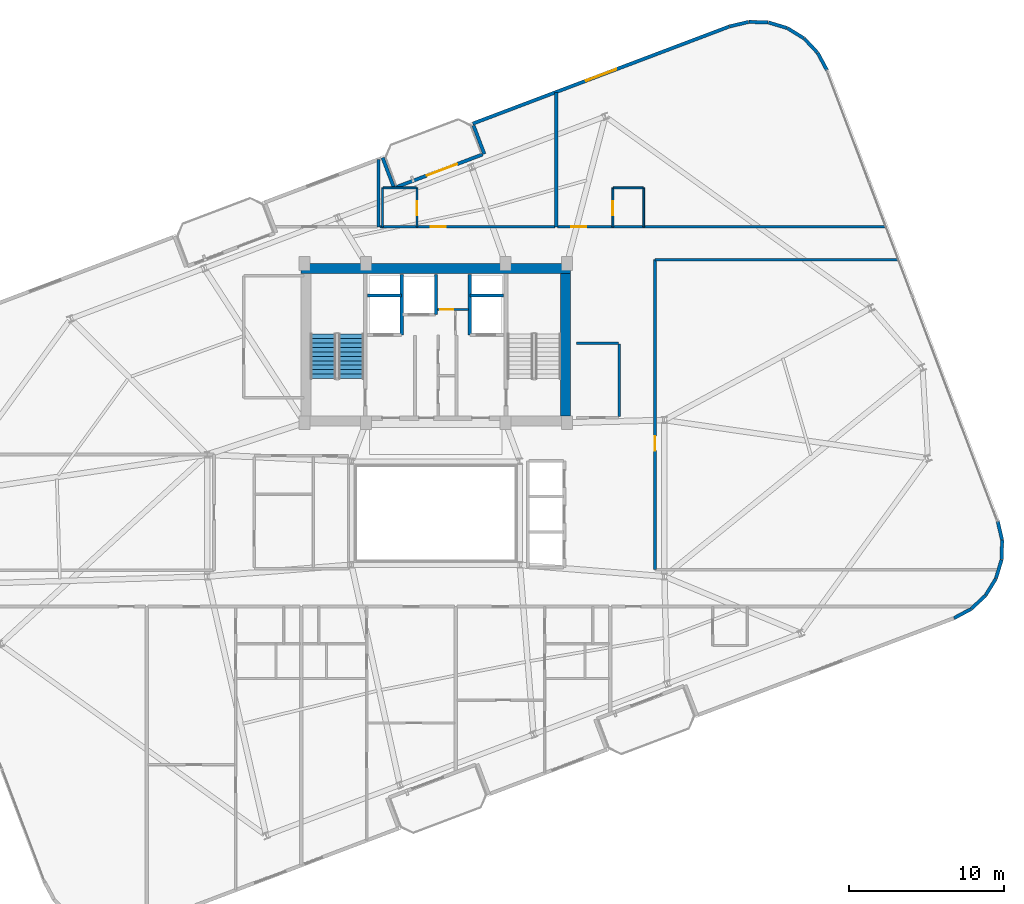
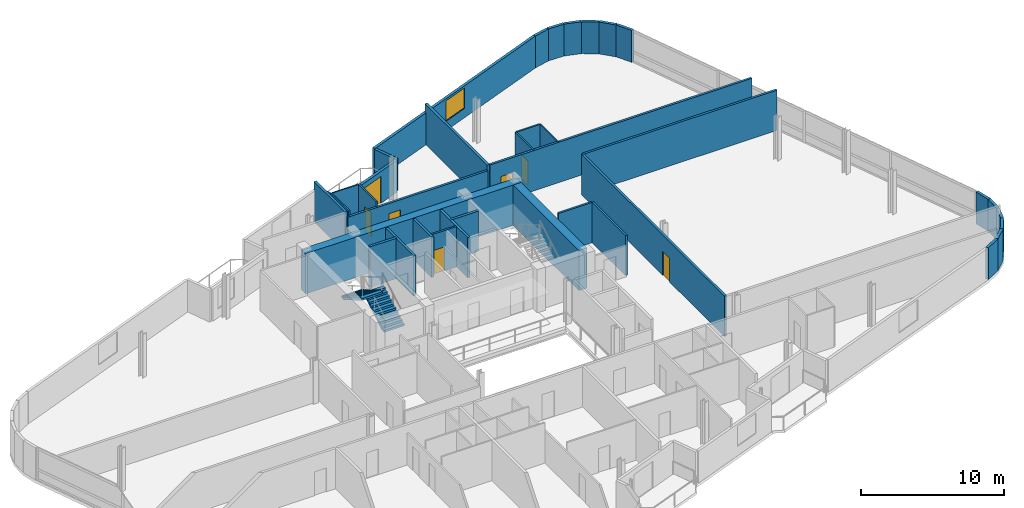
# One storey, part 17 of 20: 38 walls, 7 doors, 2 stair flights, 1 window, 8 openings, 1 element without a shape of its own.
"""IFC4 building model written with IfcOpenShell, lengths in metres."""

import ifcopenshell
import ifcopenshell.guid

model = None  # the IFC model being written
_history = None  # IfcOwnerHistory: only IFC2X3 demands one
_inside = {}  # id of a spatial element -> (the spatial element, [elements in it])
_under = {}  # id of a project, library or spatial element -> (it, [spatial elements below it])
_declared = {}  # id of a project -> (the project, [libraries it declares])
_typed = {}  # id of a type object -> (the type object, [elements of that type])
_made_of = {}  # id of a material, layer set ... -> (it, [elements and type objects made of it])


def new_model(schema):
    """Start an empty IFC model of exactly this schema.

    Asked for "IFC4X3", IfcOpenShell would pick the latest addendum, in which some entities
    have other attributes; the version numbers below select the first issue.
    IFC2X3 requires an IfcOwnerHistory on every rooted entity: one is made here for all.
    """
    global model, _history
    if schema == "IFC4X3":
        model = ifcopenshell.file(schema_version=(4, 3, 0, 0))
    else:
        model = ifcopenshell.file(schema=schema)
    _inside.clear()
    _under.clear()
    _declared.clear()
    _typed.clear()
    _made_of.clear()
    _history = None
    if model.schema == "IFC2X3":
        org = make("IfcOrganization", Name="unknown")
        user = make(
            "IfcPersonAndOrganization",
            ThePerson=make("IfcPerson", FamilyName="unknown"),
            TheOrganization=org,
        )
        app = make(
            "IfcApplication",
            ApplicationDeveloper=org,
            Version="unknown",
            ApplicationFullName="unknown",
            ApplicationIdentifier="unknown",
        )
        _history = make(
            "IfcOwnerHistory",
            OwningUser=user,
            OwningApplication=app,
            ChangeAction="ADDED",
            CreationDate=0,
        )
    return model


def make(cls, **values):
    """One entity of the class cls with the attributes given. An attribute that is None is left unset."""
    return model.create_entity(
        cls, **{name: value for name, value in values.items() if value is not None}
    )


def rooted(cls, **values):
    """An entity with a GlobalId (a new one), such as an element, a storey or a relation."""
    return make(cls, GlobalId=ifcopenshell.guid.new(), OwnerHistory=_history, **values)


def si_unit(unit_type, name, prefix=None):
    """IfcSIUnit, for example si_unit("LENGTHUNIT", "METRE", prefix="MILLI")."""
    return make("IfcSIUnit", UnitType=unit_type, Prefix=prefix, Name=name)


def assignment(units):
    """IfcUnitAssignment: the units of a project."""
    return None if units is None else make("IfcUnitAssignment", Units=units)


def point(xyz):
    """IfcCartesianPoint."""
    return None if xyz is None else make("IfcCartesianPoint", Coordinates=xyz)


def direction(xyz):
    """IfcDirection."""
    return None if xyz is None else make("IfcDirection", DirectionRatios=xyz)


def frame(location, z_axis=None, x_axis=None):
    """IfcAxis2Placement3D, a coordinate frame: its origin and axes. An axis left out is left unset."""
    return make(
        "IfcAxis2Placement3D",
        Location=point(location),
        Axis=direction(z_axis),
        RefDirection=direction(x_axis),
    )


def frame_2d(location, x_axis=None):
    """IfcAxis2Placement2D, a coordinate frame in the plane: its origin and x axis."""
    return make(
        "IfcAxis2Placement2D", Location=point(location), RefDirection=direction(x_axis)
    )


def origin():
    """The frame at (0, 0, 0) with its axes left unset."""
    return frame((0.0, 0.0, 0.0))


def place(relative_to, where):
    """IfcLocalPlacement: puts the frame where relative to a parent placement (None: the world)."""
    return make(
        "IfcLocalPlacement", PlacementRelTo=relative_to, RelativePlacement=where
    )


def context(
    kind, dimensions, precision=None, world=None, true_north=None, identifier=None
):
    """IfcGeometricRepresentationContext, for example the 3D "Model" context."""
    return make(
        "IfcGeometricRepresentationContext",
        ContextIdentifier=identifier,
        ContextType=kind,
        CoordinateSpaceDimension=dimensions,
        Precision=precision,
        WorldCoordinateSystem=world,
        TrueNorth=true_north,
    )


def subcontext(parent, identifier, kind, view, scale=None):
    """IfcGeometricRepresentationSubContext, for example "Body" below "Model"."""
    return make(
        "IfcGeometricRepresentationSubContext",
        ContextIdentifier=identifier,
        ContextType=kind,
        ParentContext=parent,
        TargetScale=scale,
        TargetView=view,
    )


def project(units=None, contexts=None):
    """IfcProject with its units and contexts."""
    return rooted(
        "IfcProject",
        Name="project",
        RepresentationContexts=contexts,
        UnitsInContext=assignment(units),
    )


def spatial(cls, under=None, at=None, **own):
    """A site, building, storey or space (cls), placed at a placement, below another one or the project."""
    s = rooted(cls, ObjectPlacement=at, **own)
    if under is not None:
        _under.setdefault(under.id(), (under, []))[1].append(s)
    return s


def polyline(points):
    """IfcPolyline through the points."""
    return make("IfcPolyline", Points=[point(p) for p in points])


def profile(cls, at=None, kind="AREA", **sizes):
    """A parametric profile (cls). Its sizes go by their IFC names, for example OverallWidth=200.0."""
    return make(cls, ProfileType=kind, Position=at, **sizes)


def rectangle(**sizes):
    """IfcRectangleProfileDef."""
    return profile("IfcRectangleProfileDef", **sizes)


def outline(outer, holes=None, kind="AREA"):
    """IfcArbitraryClosedProfileDef: a profile drawn as a closed curve; with holes, ...WithVoids."""
    if holes is None:
        return make("IfcArbitraryClosedProfileDef", ProfileType=kind, OuterCurve=outer)
    return make(
        "IfcArbitraryProfileDefWithVoids",
        ProfileType=kind,
        OuterCurve=outer,
        InnerCurves=holes,
    )


def extrude(swept, where, along, depth):
    """IfcExtrudedAreaSolid: the profile swept, set in the frame where, extruded along a direction by depth."""
    return make(
        "IfcExtrudedAreaSolid",
        SweptArea=swept,
        Position=where,
        ExtrudedDirection=direction(along),
        Depth=depth,
    )


def shape(context_of_items, identifier, shape_type, items):
    """IfcShapeRepresentation: the items that make up one representation, for example the "Body"."""
    return make(
        "IfcShapeRepresentation",
        ContextOfItems=context_of_items,
        RepresentationIdentifier=identifier,
        RepresentationType=shape_type,
        Items=items,
    )


def material(Name=None, Category=None):
    """IfcMaterial."""
    return make("IfcMaterial", Name=Name, Category=Category)


def layer(
    of_material, thickness, ventilated=None, Name=None, Category=None, Priority=None
):
    """IfcMaterialLayer: one layer of a wall or slab, of a material (None: an air gap)."""
    return make(
        "IfcMaterialLayer",
        Material=of_material,
        LayerThickness=thickness,
        IsVentilated=ventilated,
        Name=Name,
        Category=Category,
        Priority=Priority,
    )


def layer_set(layers, Name=None):
    """IfcMaterialLayerSet."""
    return make("IfcMaterialLayerSet", MaterialLayers=layers, LayerSetName=Name)


def made_of(thing, what):
    """Note that an element or type object is made of a material, layer set ...; save() writes the relation."""
    if what is not None:
        _made_of.setdefault(what.id(), (what, []))[1].append(thing)
    return thing


def type_object(cls, material=None, **own):
    """A type object (cls), such as IfcWallType, which elements share."""
    return made_of(rooted(cls, **own), material)


def element(
    cls,
    number,
    at=None,
    inside=None,
    cuts=None,
    type_object=None,
    material=None,
    context=None,
    identifier="Body",
    shape_type=None,
    held_by="IfcProductDefinitionShape",
    body=None,
    shapes=None,
    **own,
):
    """One element of the class cls, such as IfcWall. Its Tag is "e" and its number.

    at: its placement. inside: the storey or other place that contains it. cuts: it is an
    opening in that element (IfcRelVoidsElement). A single representation is given by context,
    identifier, shape_type and body (its items); several are given by shapes. held_by: the class
    of the entity that holds the representations. save() writes the other relations.
    """
    e = rooted(cls, Tag="e%d" % number, ObjectPlacement=at, **own)
    if body is not None:
        shapes = [shape(context, identifier, shape_type, body)]
    if shapes is not None:
        e.Representation = make(held_by, Representations=shapes)
    if inside is not None:
        _inside.setdefault(inside.id(), (inside, []))[1].append(e)
    if cuts is not None:
        rooted(
            "IfcRelVoidsElement", RelatingBuildingElement=cuts, RelatedOpeningElement=e
        )
    if type_object is not None:
        _typed.setdefault(type_object.id(), (type_object, []))[1].append(e)
    return made_of(e, material)


def fill(opening, filler):
    """IfcRelFillsElement: the door or window that sits in an opening."""
    return rooted(
        "IfcRelFillsElement",
        RelatingOpeningElement=opening,
        RelatedBuildingElement=filler,
    )


def aggregate(whole, parts):
    """IfcRelAggregates: a whole, such as a stair, and the parts it consists of."""
    return rooted("IfcRelAggregates", RelatingObject=whole, RelatedObjects=parts)


def save(model, path):
    """Write the relations noted so far, then the file.

    IfcRelAggregates (storeys below a building ...), IfcRelContainedInSpatialStructure (elements
    in a storey), IfcRelDefinesByType, IfcRelAssociatesMaterial and IfcRelDeclares: one each for
    every whole, place, type object, material and project.
    """
    for whole, parts in _under.values():
        aggregate(whole, parts)
    for where, things in _inside.values():
        rooted(
            "IfcRelContainedInSpatialStructure",
            RelatedElements=things,
            RelatingStructure=where,
        )
    for kind, things in _typed.values():
        rooted("IfcRelDefinesByType", RelatedObjects=things, RelatingType=kind)
    for what, things in _made_of.values():
        rooted("IfcRelAssociatesMaterial", RelatedObjects=things, RelatingMaterial=what)
    for by, libraries in _declared.values():
        rooted("IfcRelDeclares", RelatingContext=by, RelatedDefinitions=libraries)
    model.write(path)


model = new_model("IFC4")

# Units and contexts
model_context = context("Model", 3, precision=1e-05, world=origin(), true_north=direction((0.0, 1.0)))
body_context = subcontext(model_context, "Body", "Model", "MODEL_VIEW")
ifc_project = project(units=[si_unit("LENGTHUNIT", "METRE"), si_unit("AREAUNIT", "SQUARE_METRE"), si_unit("VOLUMEUNIT", "CUBIC_METRE"), si_unit("PLANEANGLEUNIT", "RADIAN"), si_unit("MASSUNIT", "GRAM", prefix="KILO")], contexts=[model_context])

# Site, building, storey
site_placement = place(None, origin())
site = spatial("IfcSite", under=ifc_project, at=site_placement, CompositionType="ELEMENT")
building_placement = place(site_placement, origin())
building = spatial("IfcBuilding", under=site, at=building_placement, Name="Varnelok Gate Tower", CompositionType="ELEMENT")
storey_placement = place(building_placement, frame((0.0, 0.0, 216.39990234375)))
storey = spatial("IfcBuildingStorey", under=building, at=storey_placement, Name="L55", CompositionType="ELEMENT", Elevation=216.39990234375)

# Wall, opening, door
ifc_material_1 = material(Name="Concrete C45/55", Category="concrete")
ifc_layer_1 = layer(ifc_material_1, 0.219970703125)
ifc_layer_set_1 = layer_set([ifc_layer_1], Name="Concrete C45/55")
wall_type_1 = type_object("IfcWallType", Name="EW-BALC-220", PredefinedType="SOLIDWALL", material=ifc_layer_set_1)
wall_1_placement = place(storey_placement, frame((36.61669921875, 43.98583984375, 0.0), z_axis=(0.0, 0.0, 1.0), x_axis=(0.935227640088, 0.354046976001, 0.0)))
wall_1 = element("IfcWall", 1, at=wall_1_placement, inside=storey, type_object=wall_type_1, Name="L55 North Terrace Envelope Wall 4", PredefinedType="SOLIDWALL", context=body_context, shape_type="SweptSolid", body=[
    extrude(rectangle(XDim=6.0, YDim=0.219970703125, at=frame_2d((3.0, 0.0))), origin(), (0.0, 0.0, 1.0), 2.72998046875),
])
opening_1_placement = place(wall_1_placement, frame((2.135986328125, 0.0, 0.0)))
opening_1 = element("IfcOpeningElement", 2, at=opening_1_placement, cuts=wall_1, Name="Opening BD-2", PredefinedType="OPENING", context=body_context, shape_type="SweptSolid", body=[
    extrude(rectangle(XDim=2.10009765625, YDim=2.300048828125, at=frame_2d((1.050048828125, 1.14990234375))), frame((0.0, 0.119873046875, 0.0), z_axis=(0.0, -1.0, 0.0), x_axis=(1.0, 0.0, 0.0)), (0.0, 0.0, 1.0), 0.239990234375),
])
ifc_material_2 = material(Name="Anodized Aluminum Alloy 6063-T6", Category="aluminium")
door_type_1 = type_object("IfcDoorType", Name="DR-EXT-SLID2100", OperationType="SLIDING_TO_LEFT", PredefinedType="DOOR", material=ifc_material_2)
door_1_placement = place(opening_1_placement, origin())
door_1 = element("IfcDoor", 3, at=door_1_placement, inside=storey, type_object=door_type_1, Name="L55 North Balcony Glazed Door 4", OperationType="SLIDING_TO_LEFT", OverallHeight=2.300048828125, OverallWidth=2.10009765625, PredefinedType="DOOR", context=body_context, shape_type="SweptSolid", body=[
    extrude(rectangle(XDim=2.10009765625, YDim=2.300048828125, at=frame_2d((1.050048828125, 1.14990234375))), frame((0.0, 0.02490234375, 0.0), z_axis=(0.0, -1.0, 0.0), x_axis=(1.0, 0.0, 0.0)), (0.0, 0.0, 1.0), 0.050048828125),
])
fill(opening_1, door_1)

# Walls
wall_2_placement = place(storey_placement, frame((72.74560546875, 16.10498046875, 0.0), z_axis=(0.0, 0.0, 1.0), x_axis=(0.881112879796, 0.472906008693, 0.0)))
element("IfcWall", 4, at=wall_2_placement, inside=storey, type_object=wall_type_1, Name="L55 Perimeter Facade Closure Wall 14", PredefinedType="SOLIDWALL", context=body_context, shape_type="SweptSolid", body=[
    extrude(rectangle(XDim=1.256591796875, YDim=0.219970703125, at=frame_2d((0.62841796875, 0.0))), origin(), (0.0, 0.0, 1.0), 2.72998046875),
])
wall_3_placement = place(storey_placement, frame((73.870849609375, 16.716552734375, 0.0), z_axis=(0.0, 0.0, 1.0), x_axis=(0.728475443486, 0.685071914647, 0.0)))
element("IfcWall", 5, at=wall_3_placement, inside=storey, type_object=wall_type_1, Name="L55 Perimeter Facade Closure Wall 15", PredefinedType="SOLIDWALL", context=body_context, shape_type="SweptSolid", body=[
    extrude(rectangle(XDim=1.248779296875, YDim=0.219970703125, at=frame_2d((0.62451171875, 0.0))), origin(), (0.0, 0.0, 1.0), 2.72998046875),
])
for number, where, z_axis, x_axis, name in (
    (6, (74.793701171875, 17.59326171875, 0.0), (0.0, 0.0, 1.0), (0.526549805576, 0.850144283194, 0.0), "L55 Perimeter Facade Closure Wall 16"),
    (7, (75.458251953125, 18.6787109375, 0.0), (0.0, 0.0, 1.0), (0.288406081086, 0.957508189204, 0.0), "L55 Perimeter Facade Closure Wall 17"),
):
    element("IfcWall", number, at=place(storey_placement, frame(where, z_axis=z_axis, x_axis=x_axis)), inside=storey, type_object=wall_type_1, Name=name, PredefinedType="SOLIDWALL", context=body_context, shape_type="SweptSolid", body=[
        extrude(rectangle(XDim=1.24853515625, YDim=0.219970703125, at=frame_2d((0.624267578125, 0.0))), origin(), (0.0, 0.0, 1.0), 2.72998046875),
    ])
wall_4_placement = place(storey_placement, frame((75.819091796875, 19.8994140625, 0.0), z_axis=(0.0, 0.0, 1.0), x_axis=(0.030898954628, 0.999522513305, 0.0)))
element("IfcWall", 8, at=wall_4_placement, inside=storey, type_object=wall_type_1, Name="L55 Perimeter Facade Closure Wall 18", PredefinedType="SOLIDWALL", context=body_context, shape_type="SweptSolid", body=[
    extrude(rectangle(XDim=1.248291015625, YDim=0.219970703125, at=frame_2d((0.6240234375, 0.0))), origin(), (0.0, 0.0, 1.0), 2.72998046875),
])
wall_5_placement = place(storey_placement, frame((75.851806640625, 21.171630859375, 0.0), z_axis=(0.0, 0.0, 1.0), x_axis=(-0.228941257463, 0.973440239887, 0.0)))
element("IfcWall", 9, at=wall_5_placement, inside=storey, type_object=wall_type_1, Name="L55 Perimeter Facade Closure Wall 19", PredefinedType="SOLIDWALL", context=body_context, shape_type="SweptSolid", body=[
    extrude(rectangle(XDim=1.248779296875, YDim=0.219970703125, at=frame_2d((0.62451171875, 0.0))), origin(), (0.0, 0.0, 1.0), 2.72998046875),
])
wall_6_placement = place(storey_placement, frame((64.519287109375, 51.566162109375, 0.0), z_axis=(0.0, 0.0, 1.0), x_axis=(-0.473093575122, 0.881012184466, 0.0)))
element("IfcWall", 10, at=wall_6_placement, inside=storey, type_object=wall_type_1, Name="L55 Perimeter Facade Closure Wall 20", PredefinedType="SOLIDWALL", context=body_context, shape_type="SweptSolid", body=[
    extrude(rectangle(XDim=1.273681640625, YDim=0.219970703125, at=frame_2d((0.63671875, 0.0))), origin(), (0.0, 0.0, 1.0), 2.72998046875),
])
for number, where, z_axis, x_axis, name in (
    (11, (63.8994140625, 52.706298828125, 0.0), (0.0, 0.0, 1.0), (-0.684870565369, 0.728664743686, 0.0), "L55 Perimeter Facade Closure Wall 21"),
    (12, (63.02294921875, 53.629150390625, 0.0), (0.0, 0.0, 1.0), (-0.850198480006, 0.526462291712, 0.0), "L55 Perimeter Facade Closure Wall 22"),
):
    element("IfcWall", number, at=place(storey_placement, frame(where, z_axis=z_axis, x_axis=x_axis)), inside=storey, type_object=wall_type_1, Name=name, PredefinedType="SOLIDWALL", context=body_context, shape_type="SweptSolid", body=[
        extrude(rectangle(XDim=1.248779296875, YDim=0.219970703125, at=frame_2d((0.62451171875, 0.0))), origin(), (0.0, 0.0, 1.0), 2.72998046875),
    ])
for number, where, z_axis, x_axis, name in (
    (13, (61.937255859375, 54.293701171875, 0.0), (0.0, 0.0, 1.0), (-0.957508189204, 0.288406081086, 0.0), "L55 Perimeter Facade Closure Wall 23"),
    (14, (60.716796875, 54.65478515625, 0.0), (0.0, 0.0, 1.0), (-0.999528718359, 0.030697576053, 0.0), "L55 Perimeter Facade Closure Wall 24"),
):
    element("IfcWall", number, at=place(storey_placement, frame(where, z_axis=z_axis, x_axis=x_axis)), inside=storey, type_object=wall_type_1, Name=name, PredefinedType="SOLIDWALL", context=body_context, shape_type="SweptSolid", body=[
        extrude(rectangle(XDim=1.24853515625, YDim=0.219970703125, at=frame_2d((0.624267578125, 0.0))), origin(), (0.0, 0.0, 1.0), 2.72998046875),
    ])
wall_7_placement = place(storey_placement, frame((59.4443359375, 54.6875, 0.0), z_axis=(0.0, 0.0, 1.0), x_axis=(-0.973409523464, -0.229071821989, 0.0)))
element("IfcWall", 15, at=wall_7_placement, inside=storey, type_object=wall_type_1, Name="L55 Perimeter Facade Closure Wall 25", PredefinedType="SOLIDWALL", context=body_context, shape_type="SweptSolid", body=[
    extrude(rectangle(XDim=1.256591796875, YDim=0.219970703125, at=frame_2d((0.62841796875, 0.0))), origin(), (0.0, 0.0, 1.0), 2.72998046875),
])

# Wall, opening, window
wall_8_placement = place(storey_placement, frame((58.19775390625, 54.390869140625, 0.0), z_axis=(0.0, 0.0, 1.0), x_axis=(-0.935223849772, -0.354056988094, 0.0)))
wall_8 = element("IfcWall", 16, at=wall_8_placement, inside=storey, type_object=wall_type_1, Name="L55 Perimeter Facade Closure Wall 26", PredefinedType="SOLIDWALL", context=body_context, shape_type="SweptSolid", body=[
    extrude(rectangle(XDim=17.7470703125, YDim=0.219970703125, at=frame_2d((8.87353515625, 0.0))), origin(), (0.0, 0.0, 1.0), 2.72998046875),
])
opening_2_placement = place(wall_8_placement, frame((7.823486328125, 0.0, 0.800048828125)))
opening_2 = element("IfcOpeningElement", 17, at=opening_2_placement, cuts=wall_8, Name="Opening WN4", PredefinedType="OPENING", context=body_context, shape_type="SweptSolid", body=[
    extrude(rectangle(XDim=2.10009765625, YDim=1.75, at=frame_2d((1.050048828125, 0.875))), frame((0.0, 0.119873046875, 0.0), z_axis=(0.0, -1.0, 0.0), x_axis=(1.0, 0.0, 0.0)), (0.0, 0.0, 1.0), 0.239990234375),
])
ifc_material_3 = material(Name="Low-E Laminated Double Glazing IGU", Category="glass")
window_type = type_object("IfcWindowType", Name="WN-SUI-2100", PartitioningType="SINGLE_PANEL", PredefinedType="WINDOW", material=ifc_material_3)
window_placement = place(opening_2_placement, origin())
window = element("IfcWindow", 18, at=window_placement, inside=storey, type_object=window_type, Name="L55 Perimeter Vision Window 26", OverallHeight=1.75, OverallWidth=2.10009765625, PartitioningType="SINGLE_PANEL", PredefinedType="WINDOW", context=body_context, shape_type="SweptSolid", body=[
    extrude(rectangle(XDim=2.10009765625, YDim=1.75, at=frame_2d((1.050048828125, 0.875))), frame((0.0, 0.030029296875, 0.0), z_axis=(0.0, -1.0, 0.0), x_axis=(1.0, 0.0, 0.0)), (0.0, 0.0, 1.0), 0.06005859375),
])
fill(opening_2, window)

# Walls
wall_9_placement = place(storey_placement, frame((41.64453125, 47.990478515625, 0.0), z_axis=(0.0, 0.0, 1.0), x_axis=(0.354020680661, -0.935237594232, 0.0)))
element("IfcWall", 19, at=wall_9_placement, inside=storey, type_object=wall_type_1, Name="L55 Perimeter Facade Closure Wall 27", PredefinedType="SOLIDWALL", context=body_context, shape_type="SweptSolid", body=[
    extrude(rectangle(XDim=1.97509765625, YDim=0.219970703125, at=frame_2d((0.987548828125, 0.0))), origin(), (0.0, 0.0, 1.0), 2.72998046875),
])
wall_10_placement = place(storey_placement, frame((36.508056640625, 43.93408203125, 0.0), z_axis=(0.0, 0.0, 1.0), x_axis=(-0.354128469405, 0.935196785258, 0.0)))
element("IfcWall", 20, at=wall_10_placement, inside=storey, type_object=wall_type_1, Name="L55 Perimeter Facade Closure Wall 28", PredefinedType="SOLIDWALL", context=body_context, shape_type="SweptSolid", body=[
    extrude(rectangle(XDim=2.099853515625, YDim=0.219970703125, at=frame_2d((1.0498046875, 0.0))), origin(), (0.0, 0.0, 1.0), 2.72998046875),
])

# Wall, opening, door
ifc_material_4 = material(Name="Gypsum Plasterboard Acoustic Partition", Category="gypsum")
ifc_layer_2 = layer(ifc_material_4, 0.179931640625)
ifc_layer_set_2 = layer_set([ifc_layer_2], Name="Gypsum Plasterboard Acoustic Partition")
wall_type_2 = type_object("IfcWallType", Name="PW-CORR-180", PredefinedType="PARTITIONING", material=ifc_layer_set_2)
wall_11_placement = place(storey_placement, frame((35.580078125, 41.429931640625, 0.0), z_axis=(0.0, 0.0, 1.0), x_axis=(1.0, 0.0, 0.0)))
wall_11 = element("IfcWall", 21, at=wall_11_placement, inside=storey, type_object=wall_type_2, Name="Interior Partition", PredefinedType="PARTITIONING", context=body_context, shape_type="SweptSolid", body=[
    extrude(rectangle(XDim=11.33984375, YDim=0.179931640625, at=frame_2d((5.669921875, 0.0))), origin(), (0.0, 0.0, 1.0), 3.01806640625),
])
opening_3_placement = place(wall_11_placement, frame((3.313232421875, 0.0, 0.0)))
opening_3 = element("IfcOpeningElement", 22, at=opening_3_placement, cuts=wall_11, Name="Opening D-HT", PredefinedType="OPENING", context=body_context, shape_type="SweptSolid", body=[
    extrude(rectangle(XDim=0.949951171875, YDim=2.14990234375, at=frame_2d((0.47509765625, 1.074951171875))), frame((0.0, 0.099853515625, 0.0), z_axis=(0.0, -1.0, 0.0), x_axis=(1.0, 0.0, 0.0)), (0.0, 0.0, 1.0), 0.199951171875),
])
ifc_material_5 = material(Name="Engineered Hardwood Timber", Category="wood")
door_type_2 = type_object("IfcDoorType", Name="DR-HTL-950", OperationType="NOTDEFINED", PredefinedType="DOOR", material=ifc_material_5)
door_2_placement = place(opening_3_placement, origin())
door_2 = element("IfcDoor", 23, at=door_2_placement, inside=storey, type_object=door_type_2, Name="L55 Guest Room 07 Entrance Door", OperationType="SINGLE_SWING_RIGHT", OverallHeight=2.14990234375, OverallWidth=0.949951171875, PredefinedType="DOOR", context=body_context, shape_type="SweptSolid", body=[
    extrude(rectangle(XDim=0.949951171875, YDim=2.14990234375, at=frame_2d((0.47509765625, 1.074951171875))), frame((0.0, 0.02490234375, 0.0), z_axis=(0.0, -1.0, 0.0), x_axis=(1.0, 0.0, 0.0)), (0.0, 0.0, 1.0), 0.050048828125),
])
fill(opening_3, door_2)

wall_12_placement = place(storey_placement, frame((47.080078125, 41.429931640625, 0.0), z_axis=(0.0, 0.0, 1.0), x_axis=(1.0, 0.0, 0.0)))
wall_12 = element("IfcWall", 24, at=wall_12_placement, inside=storey, type_object=wall_type_2, Name="Interior Partition", PredefinedType="PARTITIONING", context=body_context, shape_type="SweptSolid", body=[
    extrude(rectangle(XDim=21.21630859375, YDim=0.179931640625, at=frame_2d((10.608154296875, 0.0))), origin(), (0.0, 0.0, 1.0), 3.4501953125),
])
opening_4_placement = place(wall_12_placement, frame((0.901611328125, 0.0, 0.0)))
opening_4 = element("IfcOpeningElement", 25, at=opening_4_placement, cuts=wall_12, Name="Opening D-HT", PredefinedType="OPENING", context=body_context, shape_type="SweptSolid", body=[
    extrude(rectangle(XDim=0.949951171875, YDim=2.14990234375, at=frame_2d((0.47509765625, 1.074951171875))), frame((0.0, 0.099853515625, 0.0), z_axis=(0.0, -1.0, 0.0), x_axis=(1.0, 0.0, 0.0)), (0.0, 0.0, 1.0), 0.199951171875),
])
door_3_placement = place(opening_4_placement, origin())
door_3 = element("IfcDoor", 26, at=door_3_placement, inside=storey, type_object=door_type_2, Name="L55 Guest Room 08 Entrance Door", OperationType="SINGLE_SWING_LEFT", OverallHeight=2.14990234375, OverallWidth=0.949951171875, PredefinedType="DOOR", context=body_context, shape_type="SweptSolid", body=[
    extrude(rectangle(XDim=0.949951171875, YDim=2.14990234375, at=frame_2d((0.47509765625, 1.074951171875))), frame((0.0, 0.02490234375, 0.0), z_axis=(0.0, -1.0, 0.0), x_axis=(1.0, 0.0, 0.0)), (0.0, 0.0, 1.0), 0.050048828125),
])
fill(opening_4, door_3)

wall_13_placement = place(storey_placement, frame((53.389892578125, 19.239990234375, 0.0), z_axis=(0.0, 0.0, 1.0), x_axis=(0.0, 1.0, 0.0)))
wall_13 = element("IfcWall", 27, at=wall_13_placement, inside=storey, type_object=wall_type_2, Name="Interior Partition", PredefinedType="PARTITIONING", context=body_context, shape_type="SweptSolid", body=[
    extrude(rectangle(XDim=20.06005859375, YDim=0.179931640625, at=frame_2d((10.030029296875, 0.0))), origin(), (0.0, 0.0, 1.0), 3.4501953125),
])
opening_5_placement = place(wall_13_placement, frame((7.699951171875, 0.0, 0.0)))
opening_5 = element("IfcOpeningElement", 28, at=opening_5_placement, cuts=wall_13, Name="Opening D-I2", PredefinedType="OPENING", context=body_context, shape_type="SweptSolid", body=[
    extrude(rectangle(XDim=0.949951171875, YDim=2.050048828125, at=frame_2d((0.47509765625, 1.02490234375))), frame((0.0, 0.099853515625, 0.0), z_axis=(0.0, -1.0, 0.0), x_axis=(1.0, 0.0, 0.0)), (0.0, 0.0, 1.0), 0.199951171875),
])
door_type_3 = type_object("IfcDoorType", Name="DR-INT-950", OperationType="NOTDEFINED", PredefinedType="DOOR", material=ifc_material_5)
door_4_placement = place(opening_5_placement, origin())
door_4 = element("IfcDoor", 29, at=door_4_placement, inside=storey, type_object=door_type_3, Name="L55 East Club Door", OperationType="SINGLE_SWING_RIGHT", OverallHeight=2.050048828125, OverallWidth=0.949951171875, PredefinedType="DOOR", context=body_context, shape_type="SweptSolid", body=[
    extrude(rectangle(XDim=0.949951171875, YDim=2.050048828125, at=frame_2d((0.47509765625, 1.02490234375))), frame((0.0, 0.02490234375, 0.0), z_axis=(0.0, -1.0, 0.0), x_axis=(1.0, 0.0, 0.0)), (0.0, 0.0, 1.0), 0.050048828125),
])
fill(opening_5, door_4)

# Walls
wall_14_placement = place(storey_placement, frame((53.389892578125, 39.300048828125, 0.0), z_axis=(0.0, 0.0, 1.0), x_axis=(1.0, 0.0, 0.0)))
element("IfcWall", 30, at=wall_14_placement, inside=storey, type_object=wall_type_2, Name="Interior Partition", PredefinedType="PARTITIONING", context=body_context, shape_type="SweptSolid", body=[
    extrude(rectangle(XDim=15.712890625, YDim=0.179931640625, at=frame_2d((7.8564453125, 0.0))), origin(), (0.0, 0.0, 1.0), 3.4501953125),
])
ifc_layer_3 = layer(ifc_material_4, 0.114990234375)
ifc_layer_set_3 = layer_set([ifc_layer_3], Name="Gypsum Plasterboard Acoustic Partition")
wall_type_3 = type_object("IfcWallType", Name="PW-ENS-125", PredefinedType="PARTITIONING", material=ifc_layer_set_3)
wall_15_placement = place(storey_placement, frame((35.800048828125, 43.949951171875, 0.0), z_axis=(0.0, 0.0, 1.0), x_axis=(1.0, 0.0, 0.0)))
element("IfcWall", 31, at=wall_15_placement, inside=storey, type_object=wall_type_3, Name="Interior Partition", PredefinedType="PARTITIONING", context=body_context, shape_type="SweptSolid", body=[
    extrude(rectangle(XDim=2.14990234375, YDim=0.114990234375, at=frame_2d((1.074951171875, 0.0))), origin(), (0.0, 0.0, 1.0), 3.4501953125),
])

# Wall, opening, door
wall_16_placement = place(storey_placement, frame((37.989990234375, 41.429931640625, 0.0), z_axis=(0.0, 0.0, 1.0), x_axis=(0.0, 1.0, 0.0)))
wall_16 = element("IfcWall", 32, at=wall_16_placement, inside=storey, type_object=wall_type_3, Name="Interior Partition", PredefinedType="PARTITIONING", context=body_context, shape_type="SweptSolid", body=[
    extrude(rectangle(XDim=2.52001953125, YDim=0.114990234375, at=frame_2d((1.260009765625, 0.0))), origin(), (0.0, 0.0, 1.0), 3.4501953125),
])
opening_6_placement = place(wall_16_placement, frame((0.760009765625, 0.0, 0.0)))
opening_6 = element("IfcOpeningElement", 33, at=opening_6_placement, cuts=wall_16, Name="Opening D-WC", PredefinedType="OPENING", context=body_context, shape_type="SweptSolid", body=[
    extrude(rectangle(XDim=0.89990234375, YDim=2.050048828125, at=frame_2d((0.449951171875, 1.02490234375))), frame((0.0, 0.0673828125, 0.0), z_axis=(0.0, -1.0, 0.0), x_axis=(1.0, 0.0, 0.0)), (0.0, 0.0, 1.0), 0.135009765625),
])
door_type_4 = type_object("IfcDoorType", Name="DR-BATH-900", OperationType="NOTDEFINED", PredefinedType="DOOR", material=ifc_material_5)
door_5_placement = place(opening_6_placement, origin())
door_5 = element("IfcDoor", 34, at=door_5_placement, inside=storey, type_object=door_type_4, Name="L55 North En-Suite 07 Door", OperationType="SINGLE_SWING_RIGHT", OverallHeight=2.050048828125, OverallWidth=0.89990234375, PredefinedType="DOOR", context=body_context, shape_type="SweptSolid", body=[
    extrude(rectangle(XDim=0.89990234375, YDim=2.050048828125, at=frame_2d((0.449951171875, 1.02490234375))), frame((0.0, 0.02490234375, 0.0), z_axis=(0.0, -1.0, 0.0), x_axis=(1.0, 0.0, 0.0)), (0.0, 0.0, 1.0), 0.050048828125),
])
fill(opening_6, door_5)

# Walls
wall_17_placement = place(storey_placement, frame((35.760009765625, 41.429931640625, 0.0), z_axis=(0.0, 0.0, 1.0), x_axis=(0.0, 1.0, 0.0)))
element("IfcWall", 35, at=wall_17_placement, inside=storey, type_object=wall_type_3, Name="Interior Partition", PredefinedType="PARTITIONING", context=body_context, shape_type="SweptSolid", body=[
    extrude(rectangle(XDim=2.52001953125, YDim=0.114990234375, at=frame_2d((1.260009765625, 0.0))), origin(), (0.0, 0.0, 1.0), 3.4501953125),
])
wall_18_placement = place(storey_placement, frame((50.704833984375, 43.949951171875, 0.0), z_axis=(0.0, 0.0, 1.0), x_axis=(1.0, 0.0, 0.0)))
element("IfcWall", 36, at=wall_18_placement, inside=storey, type_object=wall_type_3, Name="Interior Partition", PredefinedType="PARTITIONING", context=body_context, shape_type="SweptSolid", body=[
    extrude(rectangle(XDim=1.915283203125, YDim=0.114990234375, at=frame_2d((0.95751953125, 0.0))), origin(), (0.0, 0.0, 1.0), 3.4501953125),
])

# Wall, opening, door
wall_19_placement = place(storey_placement, frame((50.664794921875, 41.429931640625, 0.0), z_axis=(0.0, 0.0, 1.0), x_axis=(0.0, 1.0, 0.0)))
wall_19 = element("IfcWall", 37, at=wall_19_placement, inside=storey, type_object=wall_type_3, Name="Interior Partition", PredefinedType="PARTITIONING", context=body_context, shape_type="SweptSolid", body=[
    extrude(rectangle(XDim=2.52001953125, YDim=0.114990234375, at=frame_2d((1.260009765625, 0.0))), origin(), (0.0, 0.0, 1.0), 3.4501953125),
])
opening_7_placement = place(wall_19_placement, frame((0.760009765625, 0.0, 0.0)))
opening_7 = element("IfcOpeningElement", 38, at=opening_7_placement, cuts=wall_19, Name="Opening D-WC", PredefinedType="OPENING", context=body_context, shape_type="SweptSolid", body=[
    extrude(rectangle(XDim=0.89990234375, YDim=2.050048828125, at=frame_2d((0.449951171875, 1.02490234375))), frame((0.0, 0.0673828125, 0.0), z_axis=(0.0, -1.0, 0.0), x_axis=(1.0, 0.0, 0.0)), (0.0, 0.0, 1.0), 0.135009765625),
])
door_6_placement = place(opening_7_placement, origin())
door_6 = element("IfcDoor", 39, at=door_6_placement, inside=storey, type_object=door_type_4, Name="L55 North En-Suite 08 Door", OperationType="SINGLE_SWING_LEFT", OverallHeight=2.050048828125, OverallWidth=0.89990234375, PredefinedType="DOOR", context=body_context, shape_type="SweptSolid", body=[
    extrude(rectangle(XDim=0.89990234375, YDim=2.050048828125, at=frame_2d((0.449951171875, 1.02490234375))), frame((0.0, 0.02490234375, 0.0), z_axis=(0.0, -1.0, 0.0), x_axis=(1.0, 0.0, 0.0)), (0.0, 0.0, 1.0), 0.050048828125),
])
fill(opening_7, door_6)

# Wall
wall_20_placement = place(storey_placement, frame((52.659912109375, 41.429931640625, 0.0), z_axis=(0.0, 0.0, 1.0), x_axis=(0.0, 1.0, 0.0)))
element("IfcWall", 40, at=wall_20_placement, inside=storey, type_object=wall_type_3, Name="Interior Partition", PredefinedType="PARTITIONING", context=body_context, shape_type="SweptSolid", body=[
    extrude(rectangle(XDim=2.52001953125, YDim=0.114990234375, at=frame_2d((1.260009765625, 0.0))), origin(), (0.0, 0.0, 1.0), 3.4501953125),
])

# Wall, opening, door
ifc_layer_4 = layer(ifc_material_4, 0.14990234375)
ifc_layer_set_4 = layer_set([ifc_layer_4], Name="Gypsum Plasterboard Acoustic Partition")
wall_type_4 = type_object("IfcWallType", Name="PW-PART-150", PredefinedType="PARTITIONING", material=ifc_layer_set_4)
wall_21_placement = place(storey_placement, frame((39.300048828125, 36.080078125, 0.0), z_axis=(0.0, 0.0, 1.0), x_axis=(1.0, 0.0, 0.0)))
wall_21 = element("IfcWall", 41, at=wall_21_placement, inside=storey, type_object=wall_type_4, Name="L55 Electrical Closet South Wall", PredefinedType="PARTITIONING", context=body_context, shape_type="SweptSolid", body=[
    extrude(rectangle(XDim=2.02001953125, YDim=0.14990234375, at=frame_2d((1.010009765625, 0.0))), origin(), (0.0, 0.0, 1.0), 3.4501953125),
])
opening_8_placement = place(wall_21_placement, frame((0.179931640625, 0.0, 0.0)))
opening_8 = element("IfcOpeningElement", 42, at=opening_8_placement, cuts=wall_21, Name="Opening D-RS", PredefinedType="OPENING", context=body_context, shape_type="SweptSolid", body=[
    extrude(rectangle(XDim=0.85009765625, YDim=2.050048828125, at=frame_2d((0.425048828125, 1.02490234375))), frame((0.0, 0.0849609375, 0.0), z_axis=(0.0, -1.0, 0.0), x_axis=(1.0, 0.0, 0.0)), (0.0, 0.0, 1.0), 0.169921875),
])
ifc_material_6 = material(Name="Galvanized Steel Grade S350GD", Category="steel")
door_type_5 = type_object("IfcDoorType", Name="DR-RISER-850", OperationType="NOTDEFINED", PredefinedType="DOOR", material=ifc_material_6)
door_7_placement = place(opening_8_placement, origin())
door_7 = element("IfcDoor", 43, at=door_7_placement, inside=storey, type_object=door_type_5, Name="L55 Electrical Closet Door", OperationType="SINGLE_SWING_RIGHT", OverallHeight=2.050048828125, OverallWidth=0.85009765625, PredefinedType="DOOR", context=body_context, shape_type="SweptSolid", body=[
    extrude(rectangle(XDim=0.85009765625, YDim=2.050048828125, at=frame_2d((0.425048828125, 1.02490234375))), frame((0.0, 0.02490234375, 0.0), z_axis=(0.0, -1.0, 0.0), x_axis=(1.0, 0.0, 0.0)), (0.0, 0.0, 1.0), 0.050048828125),
])
fill(opening_8, door_7)

# Walls
wall_22_placement = place(storey_placement, frame((48.300048828125, 33.889892578125, 0.0), z_axis=(0.0, 0.0, 1.0), x_axis=(1.0, 0.0, 0.0)))
element("IfcWall", 44, at=wall_22_placement, inside=storey, type_object=wall_type_4, Name="Interior Partition", PredefinedType="PARTITIONING", context=body_context, shape_type="SweptSolid", body=[
    extrude(rectangle(XDim=2.719970703125, YDim=0.14990234375, at=frame_2d((1.35986328125, 0.0))), origin(), (0.0, 0.0, 1.0), 3.4501953125),
])
wall_23_placement = place(storey_placement, frame((51.080078125, 29.139892578125, 0.0), z_axis=(0.0, 0.0, 1.0), x_axis=(0.0, 1.0, 0.0)))
element("IfcWall", 45, at=wall_23_placement, inside=storey, type_object=wall_type_4, Name="Interior Partition", PredefinedType="PARTITIONING", context=body_context, shape_type="SweptSolid", body=[
    extrude(rectangle(XDim=4.690185546875, YDim=0.14990234375, at=frame_2d((2.34521484375, 0.0))), origin(), (0.0, 0.0, 1.0), 3.4501953125),
])
ifc_layer_5 = layer(ifc_material_4, 0.205078125)
ifc_layer_set_5 = layer_set([ifc_layer_5], Name="Gypsum Plasterboard Acoustic Partition")
wall_type_5 = type_object("IfcWallType", Name="PW-PARTY-200", PredefinedType="PARTITIONING", material=ifc_layer_set_5)
wall_24_placement = place(storey_placement, frame((35.5, 41.429931640625, 0.0), z_axis=(0.0, 0.0, 1.0), x_axis=(0.0, 1.0, 0.0)))
element("IfcWall", 46, at=wall_24_placement, inside=storey, type_object=wall_type_5, Name="L55 North Party Wall 1", PredefinedType="PARTITIONING", context=body_context, shape_type="SweptSolid", body=[
    extrude(rectangle(XDim=4.346435546875, YDim=0.205078125, at=frame_2d((2.17333984375, 0.0))), origin(), (0.0, 0.0, 1.0), 3.4501953125),
])
wall_25_placement = place(storey_placement, frame((47.0, 41.429931640625, 0.0), z_axis=(0.0, 0.0, 1.0), x_axis=(0.0, 1.0, 0.0)))
element("IfcWall", 47, at=wall_25_placement, inside=storey, type_object=wall_type_5, Name="L55 North Party Wall 2", PredefinedType="PARTITIONING", context=body_context, shape_type="SweptSolid", body=[
    extrude(rectangle(XDim=8.7001953125, YDim=0.205078125, at=frame_2d((4.35009765625, 0.0))), origin(), (0.0, 0.0, 1.0), 3.4501953125),
])
ifc_material_7 = material(Name="Concrete C35/45", Category="concrete")
ifc_layer_6 = layer(ifc_material_7, 0.199951171875)
ifc_layer_set_6 = layer_set([ifc_layer_6], Name="Concrete C35/45")
wall_type_6 = type_object("IfcWallType", Name="PW-SHAFT-200", PredefinedType="PARTITIONING", material=ifc_layer_set_6)
wall_26_placement = place(storey_placement, frame((34.800048828125, 36.97998046875, 0.0), z_axis=(0.0, 0.0, 1.0), x_axis=(1.0, 0.0, 0.0)))
element("IfcWall", 48, at=wall_26_placement, inside=storey, type_object=wall_type_6, Name="L55 FF1 Shaft North Wall", PredefinedType="PARTITIONING", context=body_context, shape_type="SweptSolid", body=[
    extrude(rectangle(XDim=2.179931640625, YDim=0.199951171875, at=frame_2d((1.08984375, 0.0))), origin(), (0.0, 0.0, 1.0), 3.4501953125),
])
wall_27_placement = place(storey_placement, frame((37.0, 34.43994140625, 0.0), z_axis=(0.0, 0.0, 1.0), x_axis=(0.0, 1.0, 0.0)))
element("IfcWall", 49, at=wall_27_placement, inside=storey, type_object=wall_type_6, Name="L55 FF1 Shaft Side Wall", PredefinedType="PARTITIONING", context=body_context, shape_type="SweptSolid", body=[
    extrude(rectangle(XDim=3.900146484375, YDim=0.199951171875, at=frame_2d((1.9501953125, 0.0))), origin(), (0.0, 0.0, 1.0), 3.4501953125),
])
wall_28_placement = place(storey_placement, frame((41.419921875, 36.97998046875, 0.0), z_axis=(0.0, 0.0, 1.0), x_axis=(1.0, 0.0, 0.0)))
element("IfcWall", 50, at=wall_28_placement, inside=storey, type_object=wall_type_6, Name="L55 FF2 Shaft North Wall", PredefinedType="PARTITIONING", context=body_context, shape_type="SweptSolid", body=[
    extrude(rectangle(XDim=2.18017578125, YDim=0.199951171875, at=frame_2d((1.090087890625, 0.0))), origin(), (0.0, 0.0, 1.0), 3.4501953125),
])
wall_29_placement = place(storey_placement, frame((41.39990234375, 34.43994140625, 0.0), z_axis=(0.0, 0.0, 1.0), x_axis=(0.0, 1.0, 0.0)))
element("IfcWall", 51, at=wall_29_placement, inside=storey, type_object=wall_type_6, Name="L55 FF2 Shaft Side Wall", PredefinedType="PARTITIONING", context=body_context, shape_type="SweptSolid", body=[
    extrude(rectangle(XDim=3.900146484375, YDim=0.199951171875, at=frame_2d((1.9501953125, 0.0))), origin(), (0.0, 0.0, 1.0), 3.4501953125),
])
wall_30_placement = place(storey_placement, frame((39.219970703125, 35.75, 0.0), z_axis=(0.0, 0.0, 1.0), x_axis=(0.0, 1.0, 0.0)))
element("IfcWall", 52, at=wall_30_placement, inside=storey, type_object=wall_type_6, Name="L55 SV1 Shaft East Wall", PredefinedType="PARTITIONING", context=body_context, shape_type="SweptSolid", body=[
    extrude(rectangle(XDim=2.590087890625, YDim=0.199951171875, at=frame_2d((1.294921875, 0.0))), origin(), (0.0, 0.0, 1.0), 3.4501953125),
])
ifc_material_8 = material(Name="Concrete C60/75", Category="concrete")
ifc_layer_7 = layer(ifc_material_8, 0.64990234375)
ifc_layer_set_7 = layer_set([ifc_layer_7], Name="Concrete C60/75")
wall_type_7 = type_object("IfcWallType", Name="SW-CORE-650", PredefinedType="SHEAR", material=ifc_layer_set_7)
wall_31_placement = place(storey_placement, frame((30.47998046875, 38.7451171875, 0.0), z_axis=(0.0, 0.0, 1.0), x_axis=(1.0, 0.0, 0.0)))
element("IfcWall", 53, at=wall_31_placement, inside=storey, type_object=wall_type_7, Name="L55 Rear Core North Shear Wall", PredefinedType="SHEAR", context=body_context, shape_type="SweptSolid", body=[
    extrude(rectangle(XDim=17.43994140625, YDim=0.64990234375, at=frame_2d((8.719970703125, 0.0))), origin(), (0.0, 0.0, 1.0), 3.4501953125),
])
wall_32_placement = place(storey_placement, frame((47.594970703125, 29.199951171875, 0.0), z_axis=(0.0, 0.0, 1.0), x_axis=(0.0, 1.0, 0.0)))
element("IfcWall", 54, at=wall_32_placement, inside=storey, type_object=wall_type_7, Name="L55 Rear Core East Shear Wall", PredefinedType="SHEAR", context=body_context, shape_type="SweptSolid", body=[
    extrude(rectangle(XDim=9.219970703125, YDim=0.64990234375, at=frame_2d((4.60986328125, 0.0))), origin(), (0.0, 0.0, 1.0), 3.4501953125),
])

# Stair, stair flights
ifc_material_9 = material(Name="Concrete C50/60", Category="concrete")
stair_type = type_object("IfcStairType", Name="STR-CORE-1650", PredefinedType="HALF_TURN_STAIR", material=ifc_material_9)
stair_placement = place(storey_placement, origin())
stair = element("IfcStair", 55, at=stair_placement, inside=storey, type_object=stair_type, Name="L55 Exit Stair ST-1", PredefinedType="HALF_TURN_STAIR")
stair_flight_type = type_object("IfcStairFlightType", Name="SFL-CORE-1650", PredefinedType="STRAIGHT", material=ifc_material_9)
stair_flight_1_placement = place(storey_placement, frame((33.72509765625, 31.60009765625, 0.0), z_axis=(0.0, 0.0, 1.0), x_axis=(0.0, 1.0, 0.0)))
stair_flight_1 = element("IfcStairFlight", 56, at=stair_flight_1_placement, type_object=stair_flight_type, Name="ST-1 flight 1", NumberOfRisers=11, NumberOfTreads=10, PredefinedType="STRAIGHT", RiserHeight=0.168181818, TreadLength=0.29, context=body_context, shape_type="SweptSolid", body=[
    extrude(outline(polyline([(0.0, 0.0), (0.0, 0.168212890625), (0.2900390625, 0.168212890625), (0.2900390625, 0.33642578125), (0.580078125, 0.33642578125), (0.580078125, 0.504638671875), (0.8701171875, 0.504638671875), (0.8701171875, 0.672607421875), (1.159912109375, 0.672607421875), (1.159912109375, 0.8408203125), (1.449951171875, 0.8408203125), (1.449951171875, 1.009033203125), (1.739990234375, 1.009033203125), (1.739990234375, 1.17724609375), (2.030029296875, 1.17724609375), (2.030029296875, 1.345458984375), (2.320068359375, 1.345458984375), (2.320068359375, 1.513671875), (2.610107421875, 1.513671875), (2.610107421875, 1.681884765625), (2.89990234375, 1.681884765625), (2.89990234375, 1.85009765625), (2.89990234375, 1.508544921875), (0.298828125, 0.0), (0.0, 0.0)])), frame((0.0, 0.824951171875, 0.0), z_axis=(0.0, -1.0, 0.0), x_axis=(1.0, 0.0, 0.0)), (0.0, 0.0, 1.0), 1.64990234375),
])
stair_flight_2_placement = place(storey_placement, frame((31.925048828125, 34.5, 1.85009765625), z_axis=(0.0, 0.0, 1.0), x_axis=(0.0, -1.0, 0.0)))
stair_flight_2 = element("IfcStairFlight", 57, at=stair_flight_2_placement, type_object=stair_flight_type, Name="ST-1 flight 2", NumberOfRisers=11, NumberOfTreads=10, PredefinedType="STRAIGHT", RiserHeight=0.168181818, TreadLength=0.29, context=body_context, shape_type="SweptSolid", body=[
    extrude(outline(polyline([(0.0, 0.0), (0.0, 0.168212890625), (0.2900390625, 0.168212890625), (0.2900390625, 0.33642578125), (0.580078125, 0.33642578125), (0.580078125, 0.504638671875), (0.8701171875, 0.504638671875), (0.8701171875, 0.672607421875), (1.159912109375, 0.672607421875), (1.159912109375, 0.8408203125), (1.449951171875, 0.8408203125), (1.449951171875, 1.009033203125), (1.739990234375, 1.009033203125), (1.739990234375, 1.17724609375), (2.030029296875, 1.17724609375), (2.030029296875, 1.345458984375), (2.320068359375, 1.345458984375), (2.320068359375, 1.513671875), (2.610107421875, 1.513671875), (2.610107421875, 1.681884765625), (2.89990234375, 1.681884765625), (2.89990234375, 1.85009765625), (2.89990234375, 1.508544921875), (0.298828125, 0.0), (0.0, 0.0)])), frame((0.0, 0.824951171875, 0.0), z_axis=(0.0, -1.0, 0.0), x_axis=(1.0, 0.0, 0.0)), (0.0, 0.0, 1.0), 1.64990234375),
])
aggregate(stair, [stair_flight_1, stair_flight_2])

save(model, "model.ifc")
